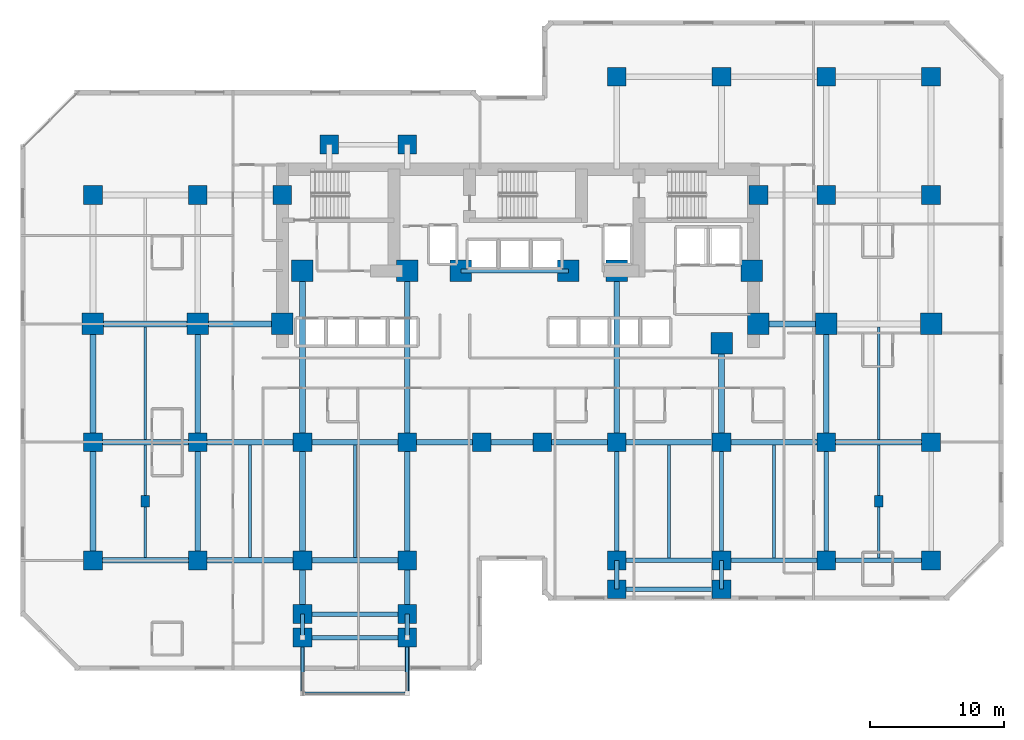
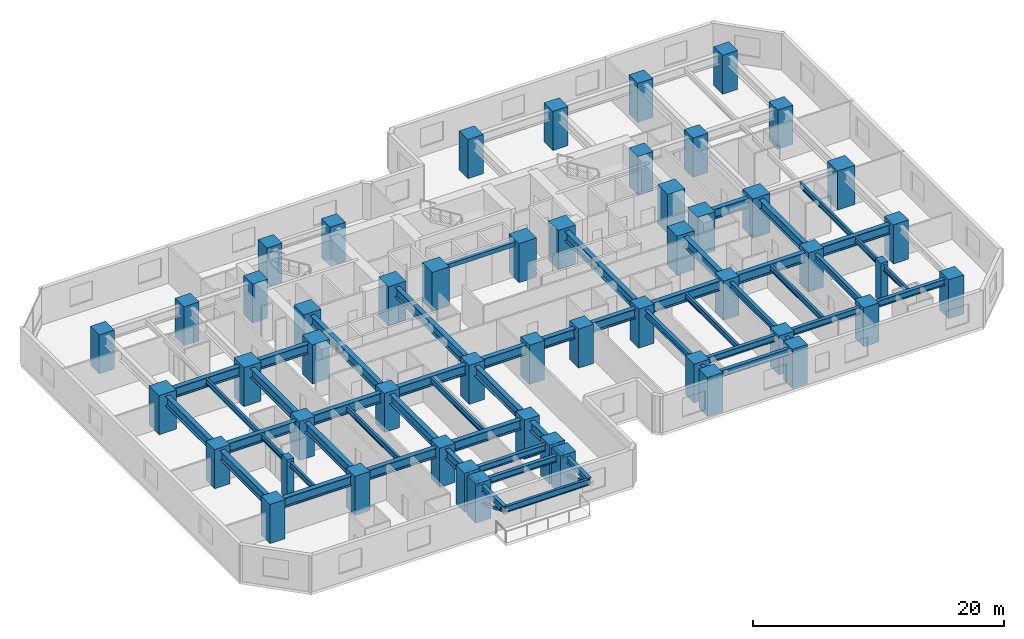
# One storey, part 1 of 12: 53 beams, 51 columns, 2 members.
"""IFC4 building model written with IfcOpenShell, lengths in metres."""

from ifc_helpers import new_model, si_unit, direction, frame, origin, origin_2d, place, context, subcontext, project, spatial, rectangle, hollow_rectangle, i_section, extrude, material, material_profile, profile_set, type_object, element, save


model = new_model("IFC4")

# Units and contexts
model_context = context("Model", 3, precision=1e-05, world=origin(), true_north=direction((0.0, 1.0)))
body_context = subcontext(model_context, "Body", "Model", "MODEL_VIEW")
ifc_project = project(units=[si_unit("LENGTHUNIT", "METRE"), si_unit("AREAUNIT", "SQUARE_METRE"), si_unit("VOLUMEUNIT", "CUBIC_METRE"), si_unit("PLANEANGLEUNIT", "RADIAN"), si_unit("MASSUNIT", "GRAM", prefix="KILO")], contexts=[model_context])

# Site, building, storey
site_placement = place(None, origin())
site = spatial("IfcSite", under=ifc_project, at=site_placement, CompositionType="ELEMENT")
building_placement = place(site_placement, origin())
building = spatial("IfcBuilding", under=site, at=building_placement, Name="Kestravale Grand Hotel", CompositionType="ELEMENT")
storey_placement = place(building_placement, frame((0.0, 0.0, 52.60009765625)))
storey = spatial("IfcBuildingStorey", under=building, at=storey_placement, Name="L12", CompositionType="ELEMENT", Elevation=52.60009765625)

# Columns
ifc_material_1 = material(Name="Concrete f'c 70 MPa", Category="concrete")
ifc_material_profile_1 = material_profile(ifc_material_1, rectangle(XDim=1.39990234375, YDim=1.39990234375, at=origin_2d()))
ifc_profile_set_1 = profile_set([ifc_material_profile_1], Name="Concrete f'c 70 MPa")
column_type_1 = type_object("IfcColumnType", Name="C-Z1-1400", PredefinedType="COLUMN", material=ifc_profile_set_1)
for number, where, z_axis, x_axis, name in (
    (1, (7.800048828125, 11.199951171875, 0.0), (0.0, 0.0, 1.0), (1.0, 0.0, 0.0), "L12 column 2-C"),
    (2, (7.800048828125, 20.0, 0.0), (0.0, 0.0, 1.0), (1.0, 0.0, 0.0), "L12 column 2-D"),
    (3, (7.800048828125, 38.39990234375, 0.0), (0.0, 0.0, 1.0), (1.0, 0.0, 0.0), "L12 column 2-F"),
    (4, (15.60009765625, 11.199951171875, 0.0), (0.0, 0.0, 1.0), (1.0, 0.0, 0.0), "L12 column 3-C"),
    (5, (15.60009765625, 20.0, 0.0), (0.0, 0.0, 1.0), (1.0, 0.0, 0.0), "L12 column 3-D"),
    (6, (15.60009765625, 38.39990234375, 0.0), (0.0, 0.0, 1.0), (1.0, 0.0, 0.0), "L12 column 3-F"),
    (7, (23.39990234375, 11.199951171875, 0.0), (0.0, 0.0, 1.0), (1.0, 0.0, 0.0), "L12 column 4-C"),
    (8, (23.39990234375, 20.0, 0.0), (0.0, 0.0, 1.0), (1.0, 0.0, 0.0), "L12 column 4-D"),
    (9, (31.199951171875, 11.199951171875, 0.0), (0.0, 0.0, 1.0), (1.0, 0.0, 0.0), "L12 column 5-C"),
    (10, (31.199951171875, 20.0, 0.0), (0.0, 0.0, 1.0), (1.0, 0.0, 0.0), "L12 column 5-D"),
    (11, (36.75, 20.0, 0.0), (0.0, 0.0, 1.0), (1.0, 0.0, 0.0), "L12 column 6-D"),
    (12, (41.25, 20.0, 0.0), (0.0, 0.0, 1.0), (1.0, 0.0, 0.0), "L12 column 7-D"),
    (13, (46.800048828125, 11.199951171875, 0.0), (0.0, 0.0, 1.0), (1.0, 0.0, 0.0), "L12 column 8-C"),
    (14, (46.800048828125, 20.0, 0.0), (0.0, 0.0, 1.0), (1.0, 0.0, 0.0), "L12 column 8-D"),
    (15, (46.800048828125, 47.199951171875, 0.0), (0.0, 0.0, 1.0), (1.0, 0.0, 0.0), "L12 column 8-G"),
    (16, (54.60009765625, 11.199951171875, 0.0), (0.0, 0.0, 1.0), (1.0, 0.0, 0.0), "L12 column 9-C"),
    (17, (54.60009765625, 20.0, 0.0), (0.0, 0.0, 1.0), (1.0, 0.0, 0.0), "L12 column 9-D"),
    (18, (54.60009765625, 47.199951171875, 0.0), (0.0, 0.0, 1.0), (1.0, 0.0, 0.0), "L12 column 9-G"),
    (19, (62.39990234375, 11.199951171875, 0.0), (0.0, 0.0, 1.0), (1.0, 0.0, 0.0), "L12 column 10-C"),
    (20, (62.39990234375, 20.0, 0.0), (0.0, 0.0, 1.0), (1.0, 0.0, 0.0), "L12 column 10-D"),
    (21, (62.39990234375, 38.39990234375, 0.0), (0.0, 0.0, 1.0), (1.0, 0.0, 0.0), "L12 column 10-F"),
    (22, (62.39990234375, 47.199951171875, 0.0), (0.0, 0.0, 1.0), (1.0, 0.0, 0.0), "L12 column 10-G"),
    (23, (70.199951171875, 11.199951171875, 0.0), (0.0, 0.0, 1.0), (1.0, 0.0, 0.0), "L12 column 11-C"),
    (24, (70.199951171875, 20.0, 0.0), (0.0, 0.0, 1.0), (1.0, 0.0, 0.0), "L12 column 11-D"),
    (25, (70.199951171875, 38.39990234375, 0.0), (0.0, 0.0, 1.0), (1.0, 0.0, 0.0), "L12 column 11-F"),
    (26, (70.199951171875, 47.199951171875, 0.0), (0.0, 0.0, 1.0), (1.0, 0.0, 0.0), "L12 column 11-G"),
    (27, (21.89990234375, 38.39990234375, 0.0), (0.0, 0.0, 1.0), (1.0, 0.0, 0.0), "L12 column CW-F"),
    (28, (57.35009765625, 38.39990234375, 0.0), (0.0, 0.0, 1.0), (1.0, 0.0, 0.0), "L12 column CE-F"),
    (29, (23.39990234375, 7.199951171875, 0.0), (0.0, 0.0, 1.0), (1.0, 0.0, 0.0), "L12 column 4-BS"),
    (30, (31.199951171875, 7.199951171875, 0.0), (0.0, 0.0, 1.0), (1.0, 0.0, 0.0), "L12 column 5-BS"),
    (31, (25.39990234375, 42.14990234375, 0.0), (0.0, 0.0, 1.0), (1.0, 0.0, 0.0), "L12 column 4-FN"),
    (32, (31.199951171875, 42.14990234375, 0.0), (0.0, 0.0, 1.0), (1.0, 0.0, 0.0), "L12 column 5-FN"),
    (33, (23.39990234375, 5.449951171875, 0.0), (0.0, 0.0, 1.0), (1.0, 0.0, 0.0), "L12 column 4-B1S"),
    (34, (31.199951171875, 5.449951171875, 0.0), (0.0, 0.0, 1.0), (1.0, 0.0, 0.0), "L12 column 5-B1S"),
    (35, (46.800048828125, 9.050048828125, 0.0), (0.0, 0.0, 1.0), (1.0, 0.0, 0.0), "L12 column 8-B1E"),
    (36, (54.60009765625, 9.050048828125, 0.0), (0.0, 0.0, 1.0), (1.0, 0.0, 0.0), "L12 column 9-B1E"),
):
    element("IfcColumn", number, at=place(storey_placement, frame(where, z_axis=z_axis, x_axis=x_axis)), inside=storey, type_object=column_type_1, Name=name, PredefinedType="COLUMN", context=body_context, shape_type="SweptSolid", body=[
        extrude(rectangle(XDim=1.39990234375, YDim=1.39990234375, at=origin_2d()), origin(), (0.0, 0.0, 1.0), 3.7998046875),
    ])
ifc_material_2 = material(Name="Concrete f'c 70 MPa", Category="concrete")
ifc_material_profile_2 = material_profile(ifc_material_2, rectangle(XDim=1.60009765625, YDim=1.60009765625, at=origin_2d()))
ifc_profile_set_2 = profile_set([ifc_material_profile_2], Name="Concrete f'c 70 MPa")
column_type_2 = type_object("IfcColumnType", Name="C-Z1-1600", PredefinedType="COLUMN", material=ifc_profile_set_2)
for number, where, z_axis, x_axis, name in (
    (37, (7.800048828125, 28.800048828125, 0.0), (0.0, 0.0, 1.0), (1.0, 0.0, 0.0), "L12 column 2-E"),
    (38, (15.60009765625, 28.800048828125, 0.0), (0.0, 0.0, 1.0), (1.0, 0.0, 0.0), "L12 column 3-E"),
    (39, (62.39990234375, 28.800048828125, 0.0), (0.0, 0.0, 1.0), (1.0, 0.0, 0.0), "L12 column 10-E"),
    (40, (70.199951171875, 28.800048828125, 0.0), (0.0, 0.0, 1.0), (1.0, 0.0, 0.0), "L12 column 11-E"),
    (41, (21.89990234375, 28.800048828125, 0.0), (0.0, 0.0, 1.0), (1.0, 0.0, 0.0), "L12 column CW-E"),
    (42, (57.35009765625, 28.800048828125, 0.0), (0.0, 0.0, 1.0), (1.0, 0.0, 0.0), "L12 column CE-E"),
    (43, (23.39990234375, 32.75, 0.0), (0.0, 0.0, 1.0), (1.0, 0.0, 0.0), "L12 column 4-CS"),
    (44, (31.199951171875, 32.75, 0.0), (0.0, 0.0, 1.0), (1.0, 0.0, 0.0), "L12 column 5-CS"),
    (45, (35.199951171875, 32.75, 0.0), (0.0, 0.0, 1.0), (1.0, 0.0, 0.0), "L12 column 6C-CS"),
    (46, (43.199951171875, 32.75, 0.0), (0.0, 0.0, 1.0), (1.0, 0.0, 0.0), "L12 column 7C-CS"),
    (47, (46.800048828125, 32.75, 0.0), (0.0, 0.0, 1.0), (1.0, 0.0, 0.0), "L12 column 8-CS"),
    (48, (54.60009765625, 27.35009765625, 0.0), (0.0, 0.0, 1.0), (1.0, 0.0, 0.0), "L12 column 9-CS"),
    (49, (56.85009765625, 32.75, 0.0), (0.0, 0.0, 1.0), (1.0, 0.0, 0.0), "L12 column 9C-CS"),
):
    element("IfcColumn", number, at=place(storey_placement, frame(where, z_axis=z_axis, x_axis=x_axis)), inside=storey, type_object=column_type_2, Name=name, PredefinedType="COLUMN", context=body_context, shape_type="SweptSolid", body=[
        extrude(rectangle(XDim=1.60009765625, YDim=1.60009765625, at=origin_2d()), origin(), (0.0, 0.0, 1.0), 3.7998046875),
    ])
ifc_material_3 = material(Name="Precast concrete f'c 45 MPa", Category="concrete")
ifc_material_profile_3 = material_profile(ifc_material_3, rectangle(XDim=0.64990234375, YDim=0.85009765625, at=origin_2d()))
ifc_profile_set_3 = profile_set([ifc_material_profile_3], Name="Precast concrete f'c 45 MPa")
column_type_3 = type_object("IfcColumnType", Name="C-Z1-PIL850", PredefinedType="PILASTER", material=ifc_profile_set_3)
for number, where, z_axis, x_axis, name in (
    (50, (11.699951171875, 15.60009765625, 0.0), (0.0, 0.0, 1.0), (1.0, 0.0, 0.0), "L12 Art Deco fluted pilaster P1"),
    (51, (66.300048828125, 15.60009765625, 0.0), (0.0, 0.0, 1.0), (1.0, 0.0, 0.0), "L12 Art Deco fluted pilaster P2"),
):
    element("IfcColumn", number, at=place(storey_placement, frame(where, z_axis=z_axis, x_axis=x_axis)), inside=storey, type_object=column_type_3, Name=name, PredefinedType="PILASTER", context=body_context, shape_type="SweptSolid", body=[
        extrude(rectangle(XDim=0.64990234375, YDim=0.85009765625, at=origin_2d()), origin(), (0.0, 0.0, 1.0), 3.7998046875),
    ])

# Beams
ifc_material_4 = material(Name="Steel ASTM A992 Grade 50", Category="steel")
ifc_material_profile_4 = material_profile(ifc_material_4, i_section(OverallWidth=0.2099609375, OverallDepth=0.535888671875, WebThickness=0.010986328125, FlangeThickness=0.017333984375, FilletRadius=0.017578125, at=origin_2d()))
ifc_profile_set_4 = profile_set([ifc_material_profile_4], Name="Steel ASTM A992 Grade 50")
beam_type_1 = type_object("IfcBeamType", Name="B-FLR-JST21", PredefinedType="JOIST", material=ifc_profile_set_4)
for number, where, z_axis, x_axis, name in (
    (52, (11.699951171875, 11.412109375, 3.27197265625), (0.0, 1.0, 0.0), (-1.0, 0.0, 0.0), "L12 floor joist 2-3/C-D #1"),
    (53, (11.699951171875, 20.2119140625, 3.27197265625), (0.0, 1.0, 0.0), (-1.0, 0.0, 0.0), "L12 floor joist 2-3/D-E #1"),
    (54, (19.5, 11.412109375, 3.27197265625), (0.0, 1.0, 0.0), (-1.0, 0.0, 0.0), "L12 floor joist 3-4/C-D #1"),
    (55, (27.300048828125, 11.412109375, 3.27197265625), (0.0, 1.0, 0.0), (-1.0, 0.0, 0.0), "L12 floor joist 4-5/C-D #1"),
):
    element("IfcBeam", number, at=place(storey_placement, frame(where, z_axis=z_axis, x_axis=x_axis)), inside=storey, type_object=beam_type_1, Name=name, PredefinedType="JOIST", context=body_context, shape_type="SweptSolid", body=[
        extrude(i_section(OverallWidth=0.2099609375, OverallDepth=0.535888671875, WebThickness=0.010986328125, FlangeThickness=0.017333984375, FilletRadius=0.017578125, at=origin_2d()), origin(), (0.0, 0.0, 1.0), 8.3759765625),
    ])
for number, where, z_axis, x_axis, name in (
    (56, (50.699951171875, 11.362548828125, 3.27197265625), (0.0, 1.0, 0.0), (-1.0, 0.0, 0.0), "L12 floor joist 8-9/C-D #1"),
    (57, (58.5, 11.362548828125, 3.27197265625), (0.0, 1.0, 0.0), (-1.0, 0.0, 0.0), "L12 floor joist 9-10/C-D #1"),
    (58, (66.300048828125, 11.362548828125, 3.27197265625), (0.0, 1.0, 0.0), (-1.0, 0.0, 0.0), "L12 floor joist 10-11/C-D #1"),
):
    element("IfcBeam", number, at=place(storey_placement, frame(where, z_axis=z_axis, x_axis=x_axis)), inside=storey, type_object=beam_type_1, Name=name, PredefinedType="JOIST", context=body_context, shape_type="SweptSolid", body=[
        extrude(i_section(OverallWidth=0.2099609375, OverallDepth=0.535888671875, WebThickness=0.010986328125, FlangeThickness=0.017333984375, FilletRadius=0.017578125, at=origin_2d()), origin(), (0.0, 0.0, 1.0), 8.425537109375),
    ])
beam_1_placement = place(storey_placement, frame((66.300048828125, 20.2119140625, 3.27197265625), z_axis=(0.0, 1.0, 0.0), x_axis=(-1.0, 0.0, 0.0)))
element("IfcBeam", 59, at=beam_1_placement, inside=storey, type_object=beam_type_1, Name="L12 floor joist 10-11/D-E #1", PredefinedType="JOIST", context=body_context, shape_type="SweptSolid", body=[
    extrude(i_section(OverallWidth=0.2099609375, OverallDepth=0.535888671875, WebThickness=0.010986328125, FlangeThickness=0.017333984375, FilletRadius=0.017578125, at=origin_2d()), origin(), (0.0, 0.0, 1.0), 8.3759765625),
])
ifc_material_5 = material(Name="Concrete f'c 45 MPa", Category="concrete")
ifc_material_profile_5 = material_profile(ifc_material_5, rectangle(XDim=0.300048828125, YDim=0.39990234375, at=origin_2d()))
ifc_profile_set_5 = profile_set([ifc_material_profile_5], Name="Concrete f'c 45 MPa")
beam_type_2 = type_object("IfcBeamType", Name="B-FLR-LNT400", PredefinedType="LINTEL", material=ifc_profile_set_5)
beam_2_placement = place(storey_placement, frame((35.199951171875, 32.75, 3.33984375), z_axis=(1.0, 0.0, 0.0), x_axis=(0.0, 1.0, 0.0)))
element("IfcBeam", 60, at=beam_2_placement, inside=storey, type_object=beam_type_2, Name="L12 core portal header lintel", PredefinedType="LINTEL", context=body_context, shape_type="SweptSolid", body=[
    extrude(rectangle(XDim=0.300048828125, YDim=0.39990234375, at=origin_2d()), origin(), (0.0, 0.0, 1.0), 8.0),
])
ifc_material_6 = material(Name="Steel ASTM A992 Grade 50", Category="steel")
ifc_material_profile_6 = material_profile(ifc_material_6, i_section(OverallWidth=0.324951171875, OverallDepth=0.612060546875, WebThickness=0.0126953125, FlangeThickness=0.01904296875, FilletRadius=0.018798828125, at=origin_2d()))
ifc_profile_set_6 = profile_set([ifc_material_profile_6], Name="Steel ASTM A992 Grade 50")
beam_type_3 = type_object("IfcBeamType", Name="B-FLR-W24A", PredefinedType="SPANDREL", material=ifc_profile_set_6)
beam_3_placement = place(storey_placement, frame((46.800048828125, 11.199951171875, 3.23388671875), z_axis=(1.0, 0.0, 0.0), x_axis=(0.0, 1.0, 0.0)))
element("IfcBeam", 61, at=beam_3_placement, inside=storey, type_object=beam_type_3, Name="L12 spandrel C:8-9", PredefinedType="SPANDREL", context=body_context, shape_type="SweptSolid", body=[
    extrude(i_section(OverallWidth=0.324951171875, OverallDepth=0.612060546875, WebThickness=0.0126953125, FlangeThickness=0.01904296875, FilletRadius=0.018798828125, at=origin_2d()), origin(), (0.0, 0.0, 1.0), 7.800048828125),
])
beam_4_placement = place(storey_placement, frame((54.60009765625, 11.199951171875, 3.23388671875), z_axis=(1.0, 0.0, 0.0), x_axis=(0.0, 1.0, 0.0)))
element("IfcBeam", 62, at=beam_4_placement, inside=storey, type_object=beam_type_3, Name="L12 spandrel C:9-10", PredefinedType="SPANDREL", context=body_context, shape_type="SweptSolid", body=[
    extrude(i_section(OverallWidth=0.324951171875, OverallDepth=0.612060546875, WebThickness=0.0126953125, FlangeThickness=0.01904296875, FilletRadius=0.018798828125, at=origin_2d()), origin(), (0.0, 0.0, 1.0), 7.7998046875),
])
for number, where, z_axis, x_axis, name in (
    (63, (62.39990234375, 11.199951171875, 3.23388671875), (1.0, 0.0, 0.0), (0.0, 1.0, 0.0), "L12 spandrel C:10-11"),
    (64, (23.39990234375, 5.449951171875, 3.23388671875), (1.0, 0.0, 0.0), (0.0, 1.0, 0.0), "L12 perimeter tie spandrel B1S:4-5"),
    (65, (46.800048828125, 9.050048828125, 3.23388671875), (1.0, 0.0, 0.0), (0.0, 1.0, 0.0), "L12 perimeter tie spandrel B1E:8-9"),
    (66, (23.39990234375, 7.199951171875, 3.23388671875), (1.0, 0.0, 0.0), (0.0, 1.0, 0.0), "L12 perimeter tie spandrel BS:4-5"),
):
    element("IfcBeam", number, at=place(storey_placement, frame(where, z_axis=z_axis, x_axis=x_axis)), inside=storey, type_object=beam_type_3, Name=name, PredefinedType="SPANDREL", context=body_context, shape_type="SweptSolid", body=[
        extrude(i_section(OverallWidth=0.324951171875, OverallDepth=0.612060546875, WebThickness=0.0126953125, FlangeThickness=0.01904296875, FilletRadius=0.018798828125, at=origin_2d()), origin(), (0.0, 0.0, 1.0), 7.800048828125),
    ])
for number, where, z_axis, x_axis, name in (
    (67, (23.39990234375, 5.449951171875, 3.23388671875), (0.0, 1.0, 0.0), (-1.0, 0.0, 0.0), "L12 spandrel 4:B1S-BS"),
    (68, (31.199951171875, 5.449951171875, 3.23388671875), (0.0, 1.0, 0.0), (-1.0, 0.0, 0.0), "L12 spandrel 5:B1S-BS"),
):
    element("IfcBeam", number, at=place(storey_placement, frame(where, z_axis=z_axis, x_axis=x_axis)), inside=storey, type_object=beam_type_3, Name=name, PredefinedType="SPANDREL", context=body_context, shape_type="SweptSolid", body=[
        extrude(i_section(OverallWidth=0.324951171875, OverallDepth=0.612060546875, WebThickness=0.0126953125, FlangeThickness=0.01904296875, FilletRadius=0.018798828125, at=origin_2d()), origin(), (0.0, 0.0, 1.0), 1.75),
    ])
beam_5_placement = place(storey_placement, frame((46.800048828125, 9.050048828125, 3.23388671875), z_axis=(0.0, 1.0, 0.0), x_axis=(-1.0, 0.0, 0.0)))
element("IfcBeam", 69, at=beam_5_placement, inside=storey, type_object=beam_type_3, Name="L12 spandrel 8:B1E-C", PredefinedType="SPANDREL", context=body_context, shape_type="SweptSolid", body=[
    extrude(i_section(OverallWidth=0.324951171875, OverallDepth=0.612060546875, WebThickness=0.0126953125, FlangeThickness=0.01904296875, FilletRadius=0.018798828125, at=origin_2d()), origin(), (0.0, 0.0, 1.0), 2.14990234375),
])
beam_6_placement = place(storey_placement, frame((46.800048828125, 11.199951171875, 3.23388671875), z_axis=(0.0, 1.0, 0.0), x_axis=(-1.0, 0.0, 0.0)))
element("IfcBeam", 70, at=beam_6_placement, inside=storey, type_object=beam_type_3, Name="L12 spandrel 8:C-D", PredefinedType="SPANDREL", context=body_context, shape_type="SweptSolid", body=[
    extrude(i_section(OverallWidth=0.324951171875, OverallDepth=0.612060546875, WebThickness=0.0126953125, FlangeThickness=0.01904296875, FilletRadius=0.018798828125, at=origin_2d()), origin(), (0.0, 0.0, 1.0), 8.800048828125),
])
beam_7_placement = place(storey_placement, frame((54.60009765625, 9.050048828125, 3.23388671875), z_axis=(0.0, 1.0, 0.0), x_axis=(-1.0, 0.0, 0.0)))
element("IfcBeam", 71, at=beam_7_placement, inside=storey, type_object=beam_type_3, Name="L12 spandrel 9:B1E-C", PredefinedType="SPANDREL", context=body_context, shape_type="SweptSolid", body=[
    extrude(i_section(OverallWidth=0.324951171875, OverallDepth=0.612060546875, WebThickness=0.0126953125, FlangeThickness=0.01904296875, FilletRadius=0.018798828125, at=origin_2d()), origin(), (0.0, 0.0, 1.0), 2.14990234375),
])
for number, where, z_axis, x_axis, name in (
    (72, (54.60009765625, 11.199951171875, 3.23388671875), (0.0, 1.0, 0.0), (-1.0, 0.0, 0.0), "L12 spandrel 9:C-D"),
    (73, (62.39990234375, 11.199951171875, 3.23388671875), (0.0, 1.0, 0.0), (-1.0, 0.0, 0.0), "L12 spandrel 10:C-D"),
):
    element("IfcBeam", number, at=place(storey_placement, frame(where, z_axis=z_axis, x_axis=x_axis)), inside=storey, type_object=beam_type_3, Name=name, PredefinedType="SPANDREL", context=body_context, shape_type="SweptSolid", body=[
        extrude(i_section(OverallWidth=0.324951171875, OverallDepth=0.612060546875, WebThickness=0.0126953125, FlangeThickness=0.01904296875, FilletRadius=0.018798828125, at=origin_2d()), origin(), (0.0, 0.0, 1.0), 8.800048828125),
    ])
for number, where, z_axis, x_axis, name in (
    (74, (23.39990234375, 5.449951171875, 3.223876953125), (0.0, -1.0, 0.0), (1.0, 0.0, 0.0), "L13 terrace cantilever beam 1"),
    (75, (31.199951171875, 5.449951171875, 3.223876953125), (0.0, -1.0, 0.0), (1.0, 0.0, 0.0), "L13 terrace cantilever beam 2"),
):
    element("IfcBeam", number, at=place(storey_placement, frame(where, z_axis=z_axis, x_axis=x_axis)), inside=storey, type_object=beam_type_3, Name=name, PredefinedType="SPANDREL", context=body_context, shape_type="SweptSolid", body=[
        extrude(i_section(OverallWidth=0.324951171875, OverallDepth=0.612060546875, WebThickness=0.0126953125, FlangeThickness=0.01904296875, FilletRadius=0.018798828125, at=origin_2d()), origin(), (0.0, 0.0, 1.0), 4.14990234375),
    ])
ifc_material_7 = material(Name="Steel ASTM A992 Grade 50", Category="steel")
ifc_material_profile_7 = material_profile(ifc_material_7, i_section(OverallWidth=0.22900390625, OverallDepth=0.612060546875, WebThickness=0.011962890625, FlangeThickness=0.01953125, FilletRadius=0.019287109375, at=origin_2d()))
ifc_profile_set_7 = profile_set([ifc_material_profile_7], Name="Steel ASTM A992 Grade 50")
beam_type_4 = type_object("IfcBeamType", Name="B-FLR-W24B", PredefinedType="SPANDREL", material=ifc_profile_set_7)
beam_8_placement = place(storey_placement, frame((23.39990234375, 1.300048828125, 3.223876953125), z_axis=(1.0, 0.0, 0.0), x_axis=(0.0, 1.0, 0.0)))
element("IfcBeam", 76, at=beam_8_placement, inside=storey, type_object=beam_type_4, Name="L13 terrace edge spandrel", PredefinedType="SPANDREL", context=body_context, shape_type="SweptSolid", body=[
    extrude(i_section(OverallWidth=0.22900390625, OverallDepth=0.612060546875, WebThickness=0.011962890625, FlangeThickness=0.01953125, FilletRadius=0.019287109375, at=origin_2d()), origin(), (0.0, 0.0, 1.0), 7.800048828125),
])
ifc_material_8 = material(Name="Steel ASTM A992 Grade 50", Category="steel")
ifc_material_profile_8 = material_profile(ifc_material_8, i_section(OverallWidth=0.424072265625, OverallDepth=0.947021484375, WebThickness=0.02392578125, FlangeThickness=0.042724609375, FilletRadius=0.0283203125, at=origin_2d()))
ifc_profile_set_8 = profile_set([ifc_material_profile_8], Name="Steel ASTM A992 Grade 50")
beam_type_5 = type_object("IfcBeamType", Name="B-GRD-W36", PredefinedType="BEAM", material=ifc_profile_set_8)
beam_9_placement = place(storey_placement, frame((7.800048828125, 11.199951171875, 3.06640625), z_axis=(1.0, 0.0, 0.0), x_axis=(0.0, 1.0, 0.0)))
element("IfcBeam", 77, at=beam_9_placement, inside=storey, type_object=beam_type_5, Name="L12 girder C:2-3", PredefinedType="BEAM", context=body_context, shape_type="SweptSolid", body=[
    extrude(i_section(OverallWidth=0.424072265625, OverallDepth=0.947021484375, WebThickness=0.02392578125, FlangeThickness=0.042724609375, FilletRadius=0.0283203125, at=origin_2d()), origin(), (0.0, 0.0, 1.0), 7.800048828125),
])
beam_10_placement = place(storey_placement, frame((15.60009765625, 11.199951171875, 3.06640625), z_axis=(1.0, 0.0, 0.0), x_axis=(0.0, 1.0, 0.0)))
element("IfcBeam", 78, at=beam_10_placement, inside=storey, type_object=beam_type_5, Name="L12 girder C:3-4", PredefinedType="BEAM", context=body_context, shape_type="SweptSolid", body=[
    extrude(i_section(OverallWidth=0.424072265625, OverallDepth=0.947021484375, WebThickness=0.02392578125, FlangeThickness=0.042724609375, FilletRadius=0.0283203125, at=origin_2d()), origin(), (0.0, 0.0, 1.0), 7.7998046875),
])
for number, where, z_axis, x_axis, name in (
    (79, (23.39990234375, 11.199951171875, 3.06640625), (1.0, 0.0, 0.0), (0.0, 1.0, 0.0), "L12 girder C:4-5"),
    (80, (7.800048828125, 20.0, 3.06640625), (1.0, 0.0, 0.0), (0.0, 1.0, 0.0), "L12 girder D:2-3"),
):
    element("IfcBeam", number, at=place(storey_placement, frame(where, z_axis=z_axis, x_axis=x_axis)), inside=storey, type_object=beam_type_5, Name=name, PredefinedType="BEAM", context=body_context, shape_type="SweptSolid", body=[
        extrude(i_section(OverallWidth=0.424072265625, OverallDepth=0.947021484375, WebThickness=0.02392578125, FlangeThickness=0.042724609375, FilletRadius=0.0283203125, at=origin_2d()), origin(), (0.0, 0.0, 1.0), 7.800048828125),
    ])
beam_11_placement = place(storey_placement, frame((15.60009765625, 20.0, 3.06640625), z_axis=(1.0, 0.0, 0.0), x_axis=(0.0, 1.0, 0.0)))
element("IfcBeam", 81, at=beam_11_placement, inside=storey, type_object=beam_type_5, Name="L12 girder D:3-4", PredefinedType="BEAM", context=body_context, shape_type="SweptSolid", body=[
    extrude(i_section(OverallWidth=0.424072265625, OverallDepth=0.947021484375, WebThickness=0.02392578125, FlangeThickness=0.042724609375, FilletRadius=0.0283203125, at=origin_2d()), origin(), (0.0, 0.0, 1.0), 7.7998046875),
])
beam_12_placement = place(storey_placement, frame((23.39990234375, 20.0, 3.06640625), z_axis=(1.0, 0.0, 0.0), x_axis=(0.0, 1.0, 0.0)))
element("IfcBeam", 82, at=beam_12_placement, inside=storey, type_object=beam_type_5, Name="L12 girder D:4-5", PredefinedType="BEAM", context=body_context, shape_type="SweptSolid", body=[
    extrude(i_section(OverallWidth=0.424072265625, OverallDepth=0.947021484375, WebThickness=0.02392578125, FlangeThickness=0.042724609375, FilletRadius=0.0283203125, at=origin_2d()), origin(), (0.0, 0.0, 1.0), 7.800048828125),
])
beam_13_placement = place(storey_placement, frame((31.199951171875, 20.0, 3.06640625), z_axis=(1.0, 0.0, 0.0), x_axis=(0.0, 1.0, 0.0)))
element("IfcBeam", 83, at=beam_13_placement, inside=storey, type_object=beam_type_5, Name="L12 girder D:5-6", PredefinedType="BEAM", context=body_context, shape_type="SweptSolid", body=[
    extrude(i_section(OverallWidth=0.424072265625, OverallDepth=0.947021484375, WebThickness=0.02392578125, FlangeThickness=0.042724609375, FilletRadius=0.0283203125, at=origin_2d()), origin(), (0.0, 0.0, 1.0), 5.550048828125),
])
beam_14_placement = place(storey_placement, frame((36.75, 20.0, 3.06640625), z_axis=(1.0, 0.0, 0.0), x_axis=(0.0, 1.0, 0.0)))
element("IfcBeam", 84, at=beam_14_placement, inside=storey, type_object=beam_type_5, Name="L12 girder D:6-7", PredefinedType="BEAM", context=body_context, shape_type="SweptSolid", body=[
    extrude(i_section(OverallWidth=0.424072265625, OverallDepth=0.947021484375, WebThickness=0.02392578125, FlangeThickness=0.042724609375, FilletRadius=0.0283203125, at=origin_2d()), origin(), (0.0, 0.0, 1.0), 4.5),
])
beam_15_placement = place(storey_placement, frame((41.25, 20.0, 3.06640625), z_axis=(1.0, 0.0, 0.0), x_axis=(0.0, 1.0, 0.0)))
element("IfcBeam", 85, at=beam_15_placement, inside=storey, type_object=beam_type_5, Name="L12 girder D:7-8", PredefinedType="BEAM", context=body_context, shape_type="SweptSolid", body=[
    extrude(i_section(OverallWidth=0.424072265625, OverallDepth=0.947021484375, WebThickness=0.02392578125, FlangeThickness=0.042724609375, FilletRadius=0.0283203125, at=origin_2d()), origin(), (0.0, 0.0, 1.0), 5.550048828125),
])
beam_16_placement = place(storey_placement, frame((46.800048828125, 20.0, 3.06640625), z_axis=(1.0, 0.0, 0.0), x_axis=(0.0, 1.0, 0.0)))
element("IfcBeam", 86, at=beam_16_placement, inside=storey, type_object=beam_type_5, Name="L12 girder D:8-9", PredefinedType="BEAM", context=body_context, shape_type="SweptSolid", body=[
    extrude(i_section(OverallWidth=0.424072265625, OverallDepth=0.947021484375, WebThickness=0.02392578125, FlangeThickness=0.042724609375, FilletRadius=0.0283203125, at=origin_2d()), origin(), (0.0, 0.0, 1.0), 7.800048828125),
])
beam_17_placement = place(storey_placement, frame((54.60009765625, 20.0, 3.06640625), z_axis=(1.0, 0.0, 0.0), x_axis=(0.0, 1.0, 0.0)))
element("IfcBeam", 87, at=beam_17_placement, inside=storey, type_object=beam_type_5, Name="L12 girder D:9-10", PredefinedType="BEAM", context=body_context, shape_type="SweptSolid", body=[
    extrude(i_section(OverallWidth=0.424072265625, OverallDepth=0.947021484375, WebThickness=0.02392578125, FlangeThickness=0.042724609375, FilletRadius=0.0283203125, at=origin_2d()), origin(), (0.0, 0.0, 1.0), 7.7998046875),
])
for number, where, z_axis, x_axis, name in (
    (88, (62.39990234375, 20.0, 3.06640625), (1.0, 0.0, 0.0), (0.0, 1.0, 0.0), "L12 girder D:10-11"),
    (89, (7.800048828125, 28.800048828125, 3.06640625), (1.0, 0.0, 0.0), (0.0, 1.0, 0.0), "L12 girder E:2-3"),
):
    element("IfcBeam", number, at=place(storey_placement, frame(where, z_axis=z_axis, x_axis=x_axis)), inside=storey, type_object=beam_type_5, Name=name, PredefinedType="BEAM", context=body_context, shape_type="SweptSolid", body=[
        extrude(i_section(OverallWidth=0.424072265625, OverallDepth=0.947021484375, WebThickness=0.02392578125, FlangeThickness=0.042724609375, FilletRadius=0.0283203125, at=origin_2d()), origin(), (0.0, 0.0, 1.0), 7.800048828125),
    ])
beam_18_placement = place(storey_placement, frame((15.60009765625, 28.800048828125, 3.06640625), z_axis=(1.0, 0.0, 0.0), x_axis=(0.0, 1.0, 0.0)))
element("IfcBeam", 90, at=beam_18_placement, inside=storey, type_object=beam_type_5, Name="L12 girder E:3-CW", PredefinedType="BEAM", context=body_context, shape_type="SweptSolid", body=[
    extrude(i_section(OverallWidth=0.424072265625, OverallDepth=0.947021484375, WebThickness=0.02392578125, FlangeThickness=0.042724609375, FilletRadius=0.0283203125, at=origin_2d()), origin(), (0.0, 0.0, 1.0), 6.2998046875),
])
beam_19_placement = place(storey_placement, frame((57.35009765625, 28.800048828125, 3.06640625), z_axis=(1.0, 0.0, 0.0), x_axis=(0.0, 1.0, 0.0)))
element("IfcBeam", 91, at=beam_19_placement, inside=storey, type_object=beam_type_5, Name="L12 girder E:CE-10", PredefinedType="BEAM", context=body_context, shape_type="SweptSolid", body=[
    extrude(i_section(OverallWidth=0.424072265625, OverallDepth=0.947021484375, WebThickness=0.02392578125, FlangeThickness=0.042724609375, FilletRadius=0.0283203125, at=origin_2d()), origin(), (0.0, 0.0, 1.0), 5.0498046875),
])
for number, where, z_axis, x_axis, name in (
    (92, (7.800048828125, 11.199951171875, 3.06640625), (0.0, 1.0, 0.0), (-1.0, 0.0, 0.0), "L12 girder 2:C-D"),
    (93, (7.800048828125, 20.0, 3.06640625), (0.0, 1.0, 0.0), (-1.0, 0.0, 0.0), "L12 girder 2:D-E"),
    (94, (15.60009765625, 11.199951171875, 3.06640625), (0.0, 1.0, 0.0), (-1.0, 0.0, 0.0), "L12 girder 3:C-D"),
    (95, (15.60009765625, 20.0, 3.06640625), (0.0, 1.0, 0.0), (-1.0, 0.0, 0.0), "L12 girder 3:D-E"),
):
    element("IfcBeam", number, at=place(storey_placement, frame(where, z_axis=z_axis, x_axis=x_axis)), inside=storey, type_object=beam_type_5, Name=name, PredefinedType="BEAM", context=body_context, shape_type="SweptSolid", body=[
        extrude(i_section(OverallWidth=0.424072265625, OverallDepth=0.947021484375, WebThickness=0.02392578125, FlangeThickness=0.042724609375, FilletRadius=0.0283203125, at=origin_2d()), origin(), (0.0, 0.0, 1.0), 8.800048828125),
    ])
beam_20_placement = place(storey_placement, frame((23.39990234375, 7.199951171875, 3.06640625), z_axis=(0.0, 1.0, 0.0), x_axis=(-1.0, 0.0, 0.0)))
element("IfcBeam", 96, at=beam_20_placement, inside=storey, type_object=beam_type_5, Name="L12 girder 4:BS-C", PredefinedType="BEAM", context=body_context, shape_type="SweptSolid", body=[
    extrude(i_section(OverallWidth=0.424072265625, OverallDepth=0.947021484375, WebThickness=0.02392578125, FlangeThickness=0.042724609375, FilletRadius=0.0283203125, at=origin_2d()), origin(), (0.0, 0.0, 1.0), 4.0),
])
beam_21_placement = place(storey_placement, frame((23.39990234375, 11.199951171875, 3.06640625), z_axis=(0.0, 1.0, 0.0), x_axis=(-1.0, 0.0, 0.0)))
element("IfcBeam", 97, at=beam_21_placement, inside=storey, type_object=beam_type_5, Name="L12 girder 4:C-D", PredefinedType="BEAM", context=body_context, shape_type="SweptSolid", body=[
    extrude(i_section(OverallWidth=0.424072265625, OverallDepth=0.947021484375, WebThickness=0.02392578125, FlangeThickness=0.042724609375, FilletRadius=0.0283203125, at=origin_2d()), origin(), (0.0, 0.0, 1.0), 8.800048828125),
])
beam_22_placement = place(storey_placement, frame((23.39990234375, 20.0, 3.06640625), z_axis=(0.0, 1.0, 0.0), x_axis=(-1.0, 0.0, 0.0)))
element("IfcBeam", 98, at=beam_22_placement, inside=storey, type_object=beam_type_5, Name="L12 girder 4:D-CS", PredefinedType="BEAM", context=body_context, shape_type="SweptSolid", body=[
    extrude(i_section(OverallWidth=0.424072265625, OverallDepth=0.947021484375, WebThickness=0.02392578125, FlangeThickness=0.042724609375, FilletRadius=0.0283203125, at=origin_2d()), origin(), (0.0, 0.0, 1.0), 12.75),
])
beam_23_placement = place(storey_placement, frame((31.199951171875, 7.199951171875, 3.06640625), z_axis=(0.0, 1.0, 0.0), x_axis=(-1.0, 0.0, 0.0)))
element("IfcBeam", 99, at=beam_23_placement, inside=storey, type_object=beam_type_5, Name="L12 girder 5:BS-C", PredefinedType="BEAM", context=body_context, shape_type="SweptSolid", body=[
    extrude(i_section(OverallWidth=0.424072265625, OverallDepth=0.947021484375, WebThickness=0.02392578125, FlangeThickness=0.042724609375, FilletRadius=0.0283203125, at=origin_2d()), origin(), (0.0, 0.0, 1.0), 4.0),
])
beam_24_placement = place(storey_placement, frame((31.199951171875, 11.199951171875, 3.06640625), z_axis=(0.0, 1.0, 0.0), x_axis=(-1.0, 0.0, 0.0)))
element("IfcBeam", 100, at=beam_24_placement, inside=storey, type_object=beam_type_5, Name="L12 girder 5:C-D", PredefinedType="BEAM", context=body_context, shape_type="SweptSolid", body=[
    extrude(i_section(OverallWidth=0.424072265625, OverallDepth=0.947021484375, WebThickness=0.02392578125, FlangeThickness=0.042724609375, FilletRadius=0.0283203125, at=origin_2d()), origin(), (0.0, 0.0, 1.0), 8.800048828125),
])
for number, where, z_axis, x_axis, name in (
    (101, (31.199951171875, 20.0, 3.06640625), (0.0, 1.0, 0.0), (-1.0, 0.0, 0.0), "L12 girder 5:D-CS"),
    (102, (46.800048828125, 20.0, 3.06640625), (0.0, 1.0, 0.0), (-1.0, 0.0, 0.0), "L12 girder 8:D-CS"),
):
    element("IfcBeam", number, at=place(storey_placement, frame(where, z_axis=z_axis, x_axis=x_axis)), inside=storey, type_object=beam_type_5, Name=name, PredefinedType="BEAM", context=body_context, shape_type="SweptSolid", body=[
        extrude(i_section(OverallWidth=0.424072265625, OverallDepth=0.947021484375, WebThickness=0.02392578125, FlangeThickness=0.042724609375, FilletRadius=0.0283203125, at=origin_2d()), origin(), (0.0, 0.0, 1.0), 12.75),
    ])
beam_25_placement = place(storey_placement, frame((54.60009765625, 20.0, 3.06640625), z_axis=(0.0, 1.0, 0.0), x_axis=(-1.0, 0.0, 0.0)))
element("IfcBeam", 103, at=beam_25_placement, inside=storey, type_object=beam_type_5, Name="L12 girder 9:D-CS", PredefinedType="BEAM", context=body_context, shape_type="SweptSolid", body=[
    extrude(i_section(OverallWidth=0.424072265625, OverallDepth=0.947021484375, WebThickness=0.02392578125, FlangeThickness=0.042724609375, FilletRadius=0.0283203125, at=origin_2d()), origin(), (0.0, 0.0, 1.0), 7.35009765625),
])
beam_26_placement = place(storey_placement, frame((62.39990234375, 20.0, 3.06640625), z_axis=(0.0, 1.0, 0.0), x_axis=(-1.0, 0.0, 0.0)))
element("IfcBeam", 104, at=beam_26_placement, inside=storey, type_object=beam_type_5, Name="L12 girder 10:D-E", PredefinedType="BEAM", context=body_context, shape_type="SweptSolid", body=[
    extrude(i_section(OverallWidth=0.424072265625, OverallDepth=0.947021484375, WebThickness=0.02392578125, FlangeThickness=0.042724609375, FilletRadius=0.0283203125, at=origin_2d()), origin(), (0.0, 0.0, 1.0), 8.800048828125),
])

# Members
ifc_material_9 = material(Name="Steel ASTM A500 Grade C", Category="steel")
ifc_material_profile_9 = material_profile(ifc_material_9, hollow_rectangle(XDim=0.25, YDim=0.25, WallThickness=0.011962890625, InnerFilletRadius=0.011962890625, OuterFilletRadius=0.02392578125, at=origin_2d()))
ifc_profile_set_9 = profile_set([ifc_material_profile_9], Name="Steel ASTM A500 Grade C")
member_type = type_object("IfcMemberType", Name="M-BLT-STR250", PredefinedType="STRUT", material=ifc_profile_set_9)
for number, where, z_axis, x_axis, name in (
    (105, (23.39990234375, 5.449951171875, 1.3740234375), (0.0, -0.925369949496, 0.379065240519), (1.0, 0.0, 0.0), "L13 terrace knee-brace strut 1"),
    (106, (31.199951171875, 5.449951171875, 1.3740234375), (0.0, -0.925369949496, 0.379065240519), (1.0, 0.0, 0.0), "L13 terrace knee-brace strut 2"),
):
    element("IfcMember", number, at=place(storey_placement, frame(where, z_axis=z_axis, x_axis=x_axis)), inside=storey, type_object=member_type, Name=name, PredefinedType="STRUT", context=body_context, shape_type="SweptSolid", body=[
        extrude(hollow_rectangle(XDim=0.25, YDim=0.25, WallThickness=0.011962890625, InnerFilletRadius=0.011962890625, OuterFilletRadius=0.02392578125, at=origin_2d()), origin(), (0.0, 0.0, 1.0), 4.484619140625),
    ])

save(model, "model.ifc")
